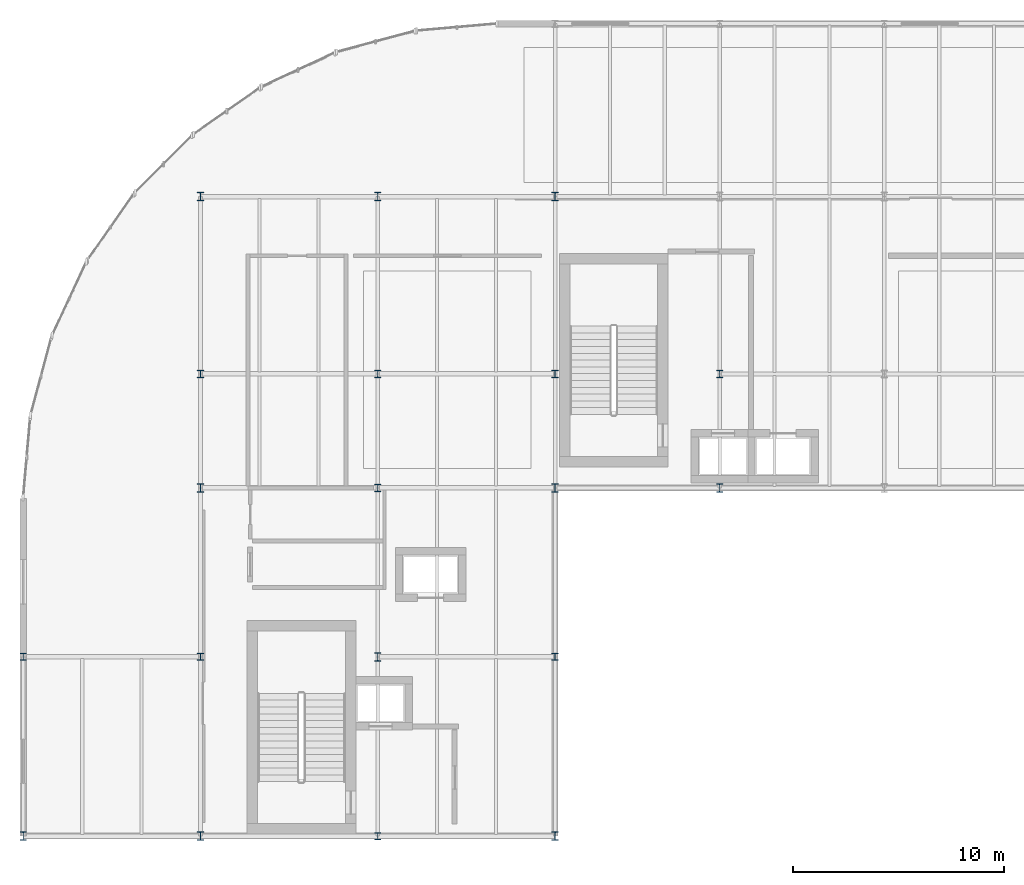
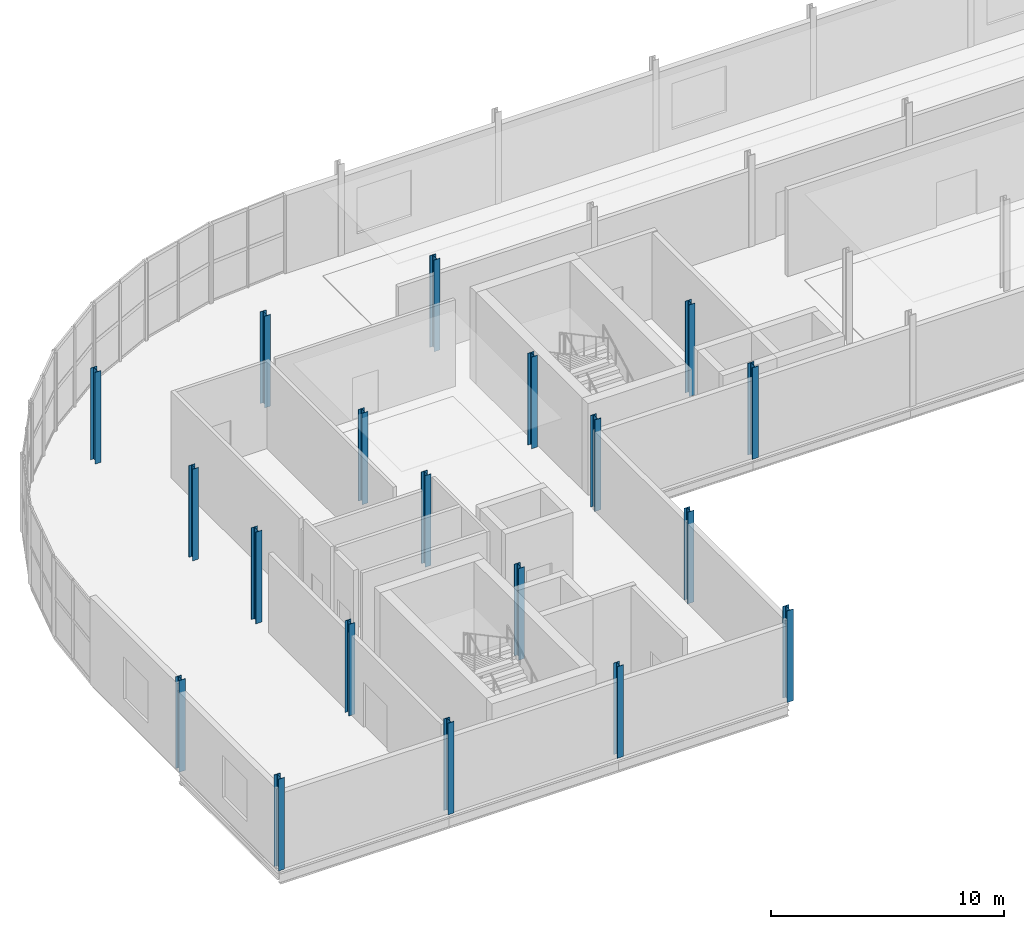
# One storey, part 1 of 15: 19 columns.
"""IFC4 building model written with IfcOpenShell, lengths in metres."""

from ifc_helpers import new_model, si_unit, direction, frame, origin, origin_2d, place, context, subcontext, project, spatial, i_section, extrude, material, material_profile, profile_set, type_object, element, save


model = new_model("IFC4")

# Units and contexts
model_context = context("Model", 3, precision=1e-05, world=origin(), true_north=direction((0.0, 1.0)))
body_context = subcontext(model_context, "Body", "Model", "MODEL_VIEW")
ifc_project = project(units=[si_unit("LENGTHUNIT", "METRE"), si_unit("AREAUNIT", "SQUARE_METRE"), si_unit("VOLUMEUNIT", "CUBIC_METRE"), si_unit("PLANEANGLEUNIT", "RADIAN"), si_unit("MASSUNIT", "GRAM", prefix="KILO")], contexts=[model_context])

# Site, building, storey
site_placement = place(None, origin())
site = spatial("IfcSite", under=ifc_project, at=site_placement, CompositionType="ELEMENT")
building_placement = place(site_placement, origin())
building = spatial("IfcBuilding", under=site, at=building_placement, Name="Sefraquen Railside Congress Hotel", CompositionType="ELEMENT")
storey_placement = place(building_placement, frame((0.0, 0.0, 46.800048828125)))
storey = spatial("IfcBuildingStorey", under=building, at=storey_placement, Name="L11", CompositionType="ELEMENT", Elevation=46.800048828125)

# Columns
ifc_material = material(Name="Steel S355JR", Category="steel")
ifc_material_profile_1 = material_profile(ifc_material, i_section(OverallWidth=0.300048828125, OverallDepth=0.340087890625, WebThickness=0.011962890625, FlangeThickness=0.021484375, FilletRadius=0.027099609375, at=origin_2d()), Name="HEB 340")
ifc_profile_set_1 = profile_set([ifc_material_profile_1], Name="Steel S355JR")
column_type_1 = type_object("IfcColumnType", Name="TC-HEB-340", PredefinedType="COLUMN", material=ifc_profile_set_1)
for number, where, z_axis, x_axis, name in (
    (1, (0.0, 88.0, 0.0), (0.0, 0.0, 1.0), (1.0, 0.0, 0.0), "Structural column 1-L L11"),
    (2, (8.39990234375, 88.0, 0.0), (0.0, 0.0, 1.0), (1.0, 0.0, 0.0), "Structural column 2-L L11"),
    (3, (16.800048828125, 79.5, 0.0), (0.0, 0.0, 1.0), (1.0, 0.0, 0.0), "Structural column 3-K L11"),
    (4, (16.800048828125, 96.0, 0.0), (0.0, 0.0, 1.0), (1.0, 0.0, 0.0), "Structural column 3-M L11"),
    (5, (25.199951171875, 88.0, 0.0), (0.0, 0.0, 1.0), (1.0, 0.0, 0.0), "Structural column 4-L L11"),
    (6, (8.39990234375, 101.39990234375, 0.0), (0.0, 0.0, 1.0), (1.0, 0.0, 0.0), "Structural column 2-N L11"),
    (7, (16.800048828125, 101.39990234375, 0.0), (0.0, 0.0, 1.0), (1.0, 0.0, 0.0), "Structural column 3-N L11"),
    (8, (25.199951171875, 101.39990234375, 0.0), (0.0, 0.0, 1.0), (1.0, 0.0, 0.0), "Structural column 4-N L11"),
    (9, (33.0, 101.39990234375, 0.0), (0.0, 0.0, 1.0), (1.0, 0.0, 0.0), "Structural column 5-N L11"),
):
    element("IfcColumn", number, at=place(storey_placement, frame(where, z_axis=z_axis, x_axis=x_axis)), inside=storey, type_object=column_type_1, Name=name, PredefinedType="COLUMN", context=body_context, shape_type="SweptSolid", body=[
        extrude(i_section(OverallWidth=0.300048828125, OverallDepth=0.340087890625, WebThickness=0.011962890625, FlangeThickness=0.021484375, FilletRadius=0.027099609375, at=origin_2d()), origin(), (0.0, 0.0, 1.0), 4.800048828125),
    ])
ifc_material_profile_2 = material_profile(ifc_material, i_section(OverallWidth=0.300048828125, OverallDepth=0.39990234375, WebThickness=0.013427734375, FlangeThickness=0.02392578125, FilletRadius=0.027099609375, at=origin_2d()), Name="HEB 400")
ifc_profile_set_2 = profile_set([ifc_material_profile_2], Name="Steel S355JR")
column_type_2 = type_object("IfcColumnType", Name="TC-HEB-400", PredefinedType="COLUMN", material=ifc_profile_set_2)
for number, where, z_axis, x_axis, name in (
    (10, (0.0, 79.5, 0.0), (0.0, 0.0, 1.0), (1.0, 0.0, 0.0), "Structural column 1-K L11"),
    (11, (8.39990234375, 79.5, 0.0), (0.0, 0.0, 1.0), (1.0, 0.0, 0.0), "Structural column 2-K L11"),
    (12, (8.39990234375, 96.0, 0.0), (0.0, 0.0, 1.0), (1.0, 0.0, 0.0), "Structural column 2-M L11"),
    (13, (16.800048828125, 88.0, 0.0), (0.0, 0.0, 1.0), (1.0, 0.0, 0.0), "Structural column 3-L L11"),
    (14, (25.199951171875, 79.5, 0.0), (0.0, 0.0, 1.0), (1.0, 0.0, 0.0), "Structural column 4-K L11"),
    (15, (25.199951171875, 96.0, 0.0), (0.0, 0.0, 1.0), (1.0, 0.0, 0.0), "Structural column 4-M L11"),
    (16, (8.39990234375, 109.800048828125, 0.0), (0.0, 0.0, 1.0), (1.0, 0.0, 0.0), "Structural column 2-P L11"),
    (17, (16.800048828125, 109.800048828125, 0.0), (0.0, 0.0, 1.0), (1.0, 0.0, 0.0), "Structural column 3-P L11"),
    (18, (25.199951171875, 109.800048828125, 0.0), (0.0, 0.0, 1.0), (1.0, 0.0, 0.0), "Structural column 4-P L11"),
    (19, (33.0, 96.0, 0.0), (0.0, 0.0, 1.0), (1.0, 0.0, 0.0), "Structural column 5-M L11"),
):
    element("IfcColumn", number, at=place(storey_placement, frame(where, z_axis=z_axis, x_axis=x_axis)), inside=storey, type_object=column_type_2, Name=name, PredefinedType="COLUMN", context=body_context, shape_type="SweptSolid", body=[
        extrude(i_section(OverallWidth=0.300048828125, OverallDepth=0.39990234375, WebThickness=0.013427734375, FlangeThickness=0.02392578125, FilletRadius=0.027099609375, at=origin_2d()), origin(), (0.0, 0.0, 1.0), 4.800048828125),
    ])

save(model, "model.ifc")
